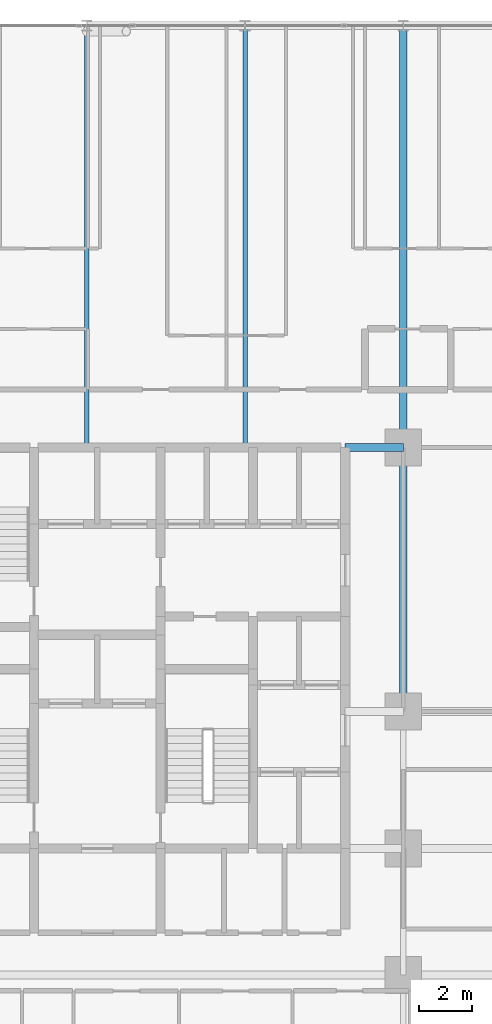
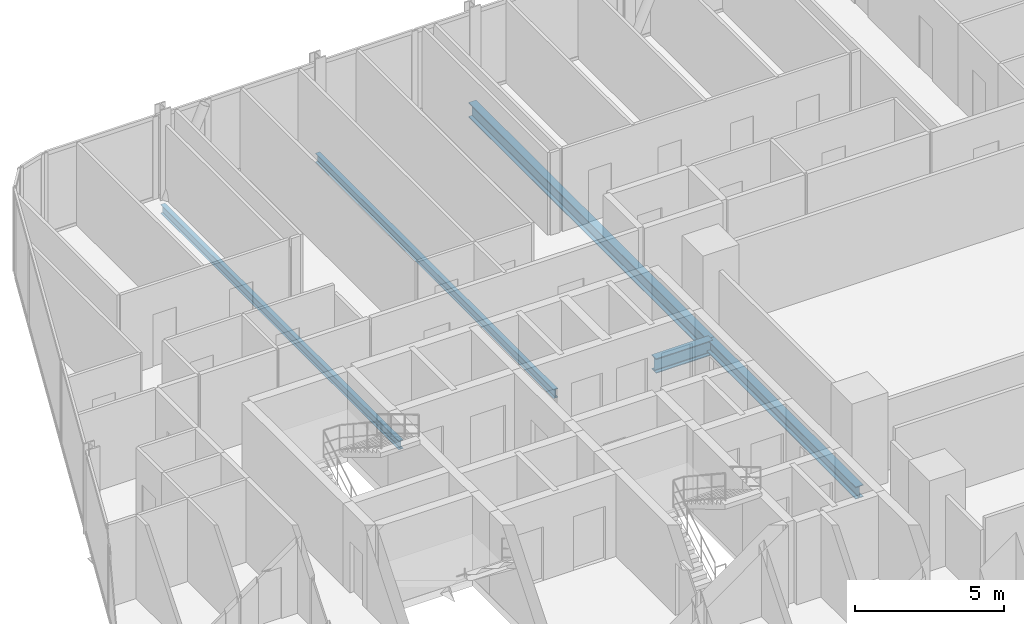
# One storey, part 12 of 33: 5 beams.
"""IFC4 building model written with IfcOpenShell, lengths in metres."""

from ifc_helpers import new_model, si_unit, direction, frame, origin, origin_2d, place, context, subcontext, project, spatial, i_section, extrude, material, material_profile, profile_set, type_object, element, save


model = new_model("IFC4")

# Units and contexts
model_context = context("Model", 3, precision=1e-05, world=origin(), true_north=direction((0.0, 1.0)))
body_context = subcontext(model_context, "Body", "Model", "MODEL_VIEW")
ifc_project = project(units=[si_unit("LENGTHUNIT", "METRE"), si_unit("AREAUNIT", "SQUARE_METRE"), si_unit("VOLUMEUNIT", "CUBIC_METRE"), si_unit("PLANEANGLEUNIT", "RADIAN"), si_unit("MASSUNIT", "GRAM", prefix="KILO")], contexts=[model_context])

# Site, building, storey
site_placement = place(None, origin())
site = spatial("IfcSite", under=ifc_project, at=site_placement, CompositionType="ELEMENT")
building_placement = place(site_placement, origin())
building = spatial("IfcBuilding", under=site, at=building_placement, Name="Keshet Zoharim Tower", CompositionType="ELEMENT")
storey_placement = place(building_placement, frame((0.0, 0.0, 49.89990234375)))
storey = spatial("IfcBuildingStorey", under=building, at=storey_placement, Name="L11", CompositionType="ELEMENT", Elevation=49.89990234375)

# Beams
ifc_material = material(Name="Steel S355", Category="steel")
ifc_material_profile_1 = material_profile(ifc_material, i_section(OverallWidth=0.300048828125, OverallDepth=0.60009765625, WebThickness=0.015380859375, FlangeThickness=0.030029296875, FilletRadius=0.027099609375, at=origin_2d()), Name="HEB600")
ifc_profile_set_1 = profile_set([ifc_material_profile_1], Name="Steel S355")
beam_type_1 = type_object("IfcBeamType", Name="BM-CLK-HB600", PredefinedType="BEAM", material=ifc_profile_set_1)
beam_1_placement = place(storey_placement, frame((30.800048828125, 37.89990234375, -0.614990234375), z_axis=(1.0, 0.0, 0.0), x_axis=(0.0, 1.0, 0.0)))
element("IfcBeam", 1, at=beam_1_placement, inside=storey, type_object=beam_type_1, Name="L11 Core Wall Link Girder 03", PredefinedType="BEAM", context=body_context, shape_type="SweptSolid", body=[
    extrude(i_section(OverallWidth=0.300048828125, OverallDepth=0.60009765625, WebThickness=0.015380859375, FlangeThickness=0.030029296875, FilletRadius=0.027099609375, at=origin_2d()), origin(), (0.0, 0.0, 1.0), 2.199951171875),
])
ifc_material_profile_2 = material_profile(ifc_material, i_section(OverallWidth=0.169921875, OverallDepth=0.360107421875, WebThickness=0.008056640625, FlangeThickness=0.0126953125, FilletRadius=0.01806640625, at=origin_2d()), Name="IPE360")
ifc_profile_set_2 = profile_set([ifc_material_profile_2], Name="Steel S355")
beam_type_2 = type_object("IfcBeamType", Name="BM-JST-IP360", PredefinedType="JOIST", material=ifc_profile_set_2)
for number, where, z_axis, x_axis, name in (
    (2, (21.0, 37.89990234375, -0.494873046875), (0.0, 1.0, 0.0), (-1.0, 0.0, 0.0), "L11 Secondary Floor Joist J-001"),
    (3, (27.0, 37.89990234375, -0.494873046875), (0.0, 1.0, 0.0), (-1.0, 0.0, 0.0), "L11 Secondary Floor Joist J-002"),
):
    element("IfcBeam", number, at=place(storey_placement, frame(where, z_axis=z_axis, x_axis=x_axis)), inside=storey, type_object=beam_type_2, Name=name, PredefinedType="JOIST", context=body_context, shape_type="SweptSolid", body=[
        extrude(i_section(OverallWidth=0.169921875, OverallDepth=0.360107421875, WebThickness=0.008056640625, FlangeThickness=0.0126953125, FilletRadius=0.01806640625, at=origin_2d()), origin(), (0.0, 0.0, 1.0), 16.0),
    ])
ifc_material_profile_3 = material_profile(ifc_material, i_section(OverallWidth=0.300048828125, OverallDepth=0.60009765625, WebThickness=0.015380859375, FlangeThickness=0.030029296875, FilletRadius=0.027099609375, at=origin_2d()), Name="HEB600")
ifc_profile_set_3 = profile_set([ifc_material_profile_3], Name="Steel S355")
beam_type_3 = type_object("IfcBeamType", Name="BM-LNG-HB600", PredefinedType="BEAM", material=ifc_profile_set_3)
beam_2_placement = place(storey_placement, frame((33.0, 37.89990234375, -0.614990234375), z_axis=(0.0, 1.0, 0.0), x_axis=(-1.0, 0.0, 0.0)))
element("IfcBeam", 4, at=beam_2_placement, inside=storey, type_object=beam_type_3, Name="L11 Primary Girder Y-011", PredefinedType="BEAM", context=body_context, shape_type="SweptSolid", body=[
    extrude(i_section(OverallWidth=0.300048828125, OverallDepth=0.60009765625, WebThickness=0.015380859375, FlangeThickness=0.030029296875, FilletRadius=0.027099609375, at=origin_2d()), origin(), (0.0, 0.0, 1.0), 16.0),
])
ifc_material_profile_4 = material_profile(ifc_material, i_section(OverallWidth=0.300048828125, OverallDepth=0.5, WebThickness=0.014404296875, FlangeThickness=0.028076171875, FilletRadius=0.027099609375, at=origin_2d()), Name="HEB500")
ifc_profile_set_4 = profile_set([ifc_material_profile_4], Name="Steel S355")
beam_type_4 = type_object("IfcBeamType", Name="BM-MED-HB500", PredefinedType="BEAM", material=ifc_profile_set_4)
beam_3_placement = place(storey_placement, frame((33.0, 27.89990234375, -0.56494140625), z_axis=(0.0, 1.0, 0.0), x_axis=(-1.0, 0.0, 0.0)))
element("IfcBeam", 5, at=beam_3_placement, inside=storey, type_object=beam_type_4, Name="L11 Primary Girder Y-010", PredefinedType="BEAM", context=body_context, shape_type="SweptSolid", body=[
    extrude(i_section(OverallWidth=0.300048828125, OverallDepth=0.5, WebThickness=0.014404296875, FlangeThickness=0.028076171875, FilletRadius=0.027099609375, at=origin_2d()), origin(), (0.0, 0.0, 1.0), 10.0),
])

save(model, "model.ifc")
